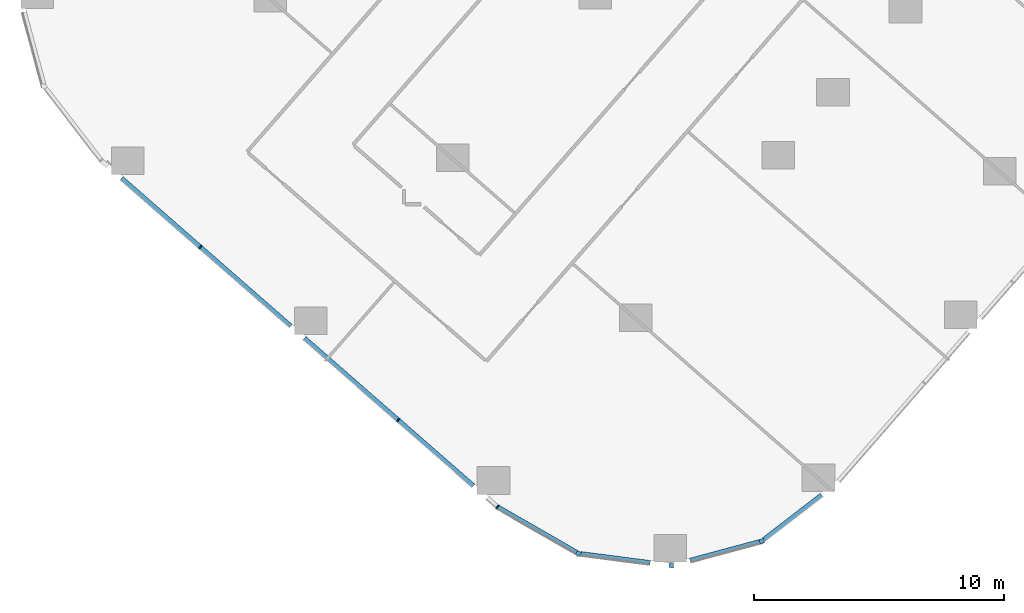
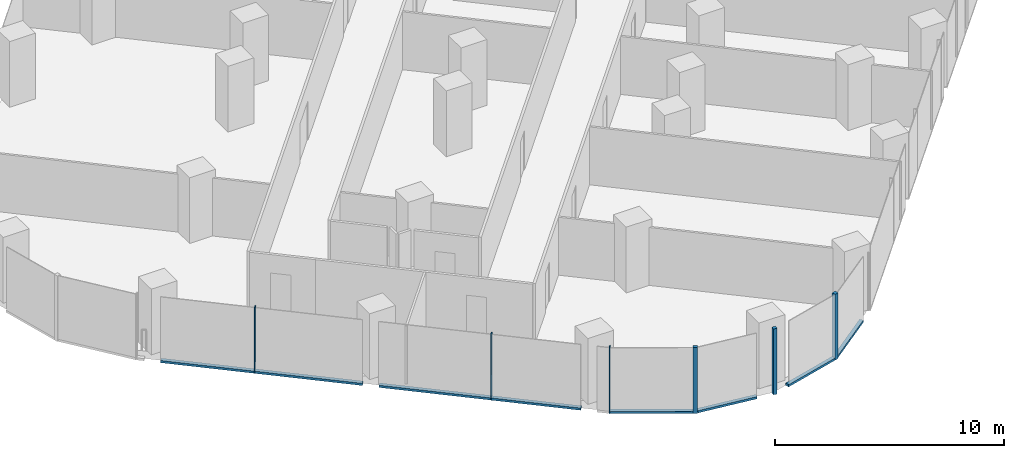
# One storey, part 2 of 38: 12 members, 5 elements without a shape of their own.
"""IFC4 building model written with IfcOpenShell, lengths in metres."""

from ifc_helpers import new_model, si_unit, direction, frame, origin, origin_2d, place, context, subcontext, project, spatial, rectangle, extrude, material, material_profile, profile_set, type_object, element, aggregate, save


model = new_model("IFC4")

# Units and contexts
model_context = context("Model", 3, precision=1e-05, world=origin(), true_north=direction((0.0, 1.0)))
body_context = subcontext(model_context, "Body", "Model", "MODEL_VIEW")
ifc_project = project(units=[si_unit("LENGTHUNIT", "METRE"), si_unit("AREAUNIT", "SQUARE_METRE"), si_unit("VOLUMEUNIT", "CUBIC_METRE"), si_unit("PLANEANGLEUNIT", "RADIAN"), si_unit("MASSUNIT", "GRAM", prefix="KILO")], contexts=[model_context])

# Site, building, storey
site_placement = place(None, origin())
site = spatial("IfcSite", under=ifc_project, at=site_placement, CompositionType="ELEMENT")
building_placement = place(site_placement, origin())
building = spatial("IfcBuilding", under=site, at=building_placement, Name="Orlundy Tower", CompositionType="ELEMENT")
storey_placement = place(building_placement, frame((0.0, 0.0, 62.300048828125)))
storey = spatial("IfcBuildingStorey", under=building, at=storey_placement, Name="L14", CompositionType="ELEMENT", Elevation=62.300048828125)

# Curtain wall, member
ifc_material_1 = material(Name="Aluminium bronze anodised", Category="aluminium")
curtain_wall_type = type_object("IfcCurtainWallType", Name="CW1 wall", PredefinedType="NOTDEFINED", material=ifc_material_1)
curtain_wall_1_placement = place(storey_placement, origin())
curtain_wall_1 = element("IfcCurtainWall", 1, at=curtain_wall_1_placement, inside=storey, type_object=curtain_wall_type, Name="CW1 run 04", PredefinedType="NOTDEFINED")
ifc_material_2 = material(Name="Aluminium bronze anodised", Category="aluminium")
ifc_material_profile_1 = material_profile(ifc_material_2, rectangle(XDim=0.179931640625, YDim=0.179931640625, at=origin_2d()), Name="CW1 corner post 180x180")
ifc_profile_set_1 = profile_set([ifc_material_profile_1], Name="Aluminium bronze anodised")
member_type_1 = type_object("IfcMemberType", Name="CW1 corner post 180x180", PredefinedType="MULLION", material=ifc_profile_set_1)
member_1_placement = place(storey_placement, frame((-20.753173828125, -53.148193359375, -0.400146484375), z_axis=(0.0, 0.0, 1.0), x_axis=(0.26007990033, -0.965587098839, 0.0)))
member_1 = element("IfcMember", 2, at=member_1_placement, type_object=member_type_1, Name="CW1 mullion 15", PredefinedType="MULLION", context=body_context, shape_type="SweptSolid", body=[
    extrude(rectangle(XDim=0.179931640625, YDim=0.179931640625, at=origin_2d()), origin(), (0.0, 0.0, 1.0), 3.5),
])

curtain_wall_2_placement = place(storey_placement, origin())
curtain_wall_2 = element("IfcCurtainWall", 3, at=curtain_wall_2_placement, inside=storey, type_object=curtain_wall_type, Name="CW1 run 05", PredefinedType="NOTDEFINED")
member_2_placement = place(storey_placement, frame((-24.366943359375, -54.12158203125, -0.400146484375), z_axis=(0.0, 0.0, 1.0), x_axis=(-0.128947063839, -0.991651478458, 0.0)))
member_2 = element("IfcMember", 4, at=member_2_placement, type_object=member_type_1, Name="CW1 mullion 16", PredefinedType="MULLION", context=body_context, shape_type="SweptSolid", body=[
    extrude(rectangle(XDim=0.179931640625, YDim=0.179931640625, at=origin_2d()), origin(), (0.0, 0.0, 1.0), 3.5),
])

curtain_wall_3_placement = place(storey_placement, origin())
curtain_wall_3 = element("IfcCurtainWall", 5, at=curtain_wall_3_placement, inside=storey, type_object=curtain_wall_type, Name="CW1 run 06", PredefinedType="NOTDEFINED")
member_3_placement = place(storey_placement, frame((-28.078369140625, -53.638916015625, -0.400146484375), z_axis=(0.0, 0.0, 1.0), x_axis=(-0.498780254844, -0.866728479616, 0.0)))
member_3 = element("IfcMember", 6, at=member_3_placement, type_object=member_type_1, Name="CW1 mullion 17", PredefinedType="MULLION", context=body_context, shape_type="SweptSolid", body=[
    extrude(rectangle(XDim=0.179931640625, YDim=0.179931640625, at=origin_2d()), origin(), (0.0, 0.0, 1.0), 3.5),
])

# Curtain wall, members
curtain_wall_4_placement = place(storey_placement, origin())
curtain_wall_4 = element("IfcCurtainWall", 7, at=curtain_wall_4_placement, inside=storey, type_object=curtain_wall_type, Name="CW1 run 07", PredefinedType="NOTDEFINED")
ifc_material_3 = material(Name="Aluminium bronze anodised", Category="aluminium")
ifc_material_profile_2 = material_profile(ifc_material_3, rectangle(XDim=0.179931640625, YDim=0.050048828125, at=origin_2d()), Name="CW1 mullion 50x180")
ifc_profile_set_2 = profile_set([ifc_material_profile_2], Name="Aluminium bronze anodised")
member_type_2 = type_object("IfcMemberType", Name="CW1 mullion 50x180", PredefinedType="MULLION", material=ifc_profile_set_2)
member_4_placement = place(storey_placement, frame((-31.314453125, -51.776611328125, -0.400146484375), z_axis=(0.0, 0.0, 1.0), x_axis=(-0.581319316021, -0.813675520598, 0.0)))
member_4 = element("IfcMember", 8, at=member_4_placement, type_object=member_type_2, Name="CW1 mullion 18", PredefinedType="MULLION", context=body_context, shape_type="SweptSolid", body=[
    extrude(rectangle(XDim=0.179931640625, YDim=0.050048828125, at=origin_2d()), origin(), (0.0, 0.0, 1.0), 3.5),
])
member_5_placement = place(storey_placement, frame((-35.273193359375, -48.31494140625, -0.400146484375), z_axis=(0.0, 0.0, 1.0), x_axis=(-0.658261834143, -0.752789052597, 0.0)))
member_5 = element("IfcMember", 9, at=member_5_placement, type_object=member_type_2, Name="CW1 mullion 19", PredefinedType="MULLION", context=body_context, shape_type="SweptSolid", body=[
    extrude(rectangle(XDim=0.179931640625, YDim=0.050048828125, at=origin_2d()), origin(), (0.0, 0.0, 1.0), 3.5),
])
member_6_placement = place(storey_placement, frame((-43.17724609375, -41.403564453125, -0.400146484375), z_axis=(0.0, 0.0, 1.0), x_axis=(-0.658261834143, -0.752789052597, 0.0)))
member_6 = element("IfcMember", 10, at=member_6_placement, type_object=member_type_2, Name="CW1 mullion 21", PredefinedType="MULLION", context=body_context, shape_type="SweptSolid", body=[
    extrude(rectangle(XDim=0.179931640625, YDim=0.050048828125, at=origin_2d()), origin(), (0.0, 0.0, 1.0), 3.5),
])

# Curtain wall, member
curtain_wall_5_placement = place(storey_placement, origin())
curtain_wall_5 = element("IfcCurtainWall", 11, at=curtain_wall_5_placement, inside=storey, type_object=curtain_wall_type, Name="CW1 run 03", PredefinedType="NOTDEFINED")
ifc_material_4 = material(Name="Aluminium bronze anodised", Category="aluminium")
ifc_material_profile_3 = material_profile(ifc_material_4, rectangle(XDim=0.179931640625, YDim=0.1201171875, at=origin_2d()), Name="CW1 transom 180x120")
ifc_profile_set_3 = profile_set([ifc_material_profile_3], Name="Aluminium bronze anodised")
member_type_3 = type_object("IfcMemberType", Name="CW1 transom 180x120", PredefinedType="USERDEFINED", material=ifc_profile_set_3)
member_7_placement = place(storey_placement, frame((-18.36279296875, -51.30810546875, -0.340087890625), z_axis=(-0.792400091658, -0.610001716998, 0.0), x_axis=(0.610001716998, -0.792400091658, 0.0)))
member_7 = element("IfcMember", 12, at=member_7_placement, type_object=member_type_3, Name="CW1 transom", ObjectType="TRANSOM", PredefinedType="USERDEFINED", context=body_context, shape_type="SweptSolid", body=[
    extrude(rectangle(XDim=0.179931640625, YDim=0.1201171875, at=origin_2d()), origin(), (0.0, 0.0, 1.0), 2.919189453125),
])
aggregate(curtain_wall_5, [member_7])

# Member
member_8_placement = place(storey_placement, frame((-20.840087890625, -53.171630859375, -0.340087890625), z_axis=(-0.965592771563, -0.260058838546, 0.0), x_axis=(0.260058838546, -0.965592771563, 0.0)))
member_8 = element("IfcMember", 13, at=member_8_placement, type_object=member_type_3, Name="CW1 transom", ObjectType="TRANSOM", PredefinedType="USERDEFINED", context=body_context, shape_type="SweptSolid", body=[
    extrude(rectangle(XDim=0.179931640625, YDim=0.1201171875, at=origin_2d()), origin(), (0.0, 0.0, 1.0), 2.871826171875),
])

aggregate(curtain_wall_1, [member_1, member_8])

member_9_placement = place(storey_placement, frame((-25.212890625, -54.011474609375, -0.340087890625), z_axis=(-0.99165930578, 0.128886854486, 0.0), x_axis=(-0.128886854486, -0.99165930578, 0.0)))
member_9 = element("IfcMember", 14, at=member_9_placement, type_object=member_type_3, Name="CW1 transom", ObjectType="TRANSOM", PredefinedType="USERDEFINED", context=body_context, shape_type="SweptSolid", body=[
    extrude(rectangle(XDim=0.179931640625, YDim=0.1201171875, at=origin_2d()), origin(), (0.0, 0.0, 1.0), 2.7919921875),
])

aggregate(curtain_wall_2, [member_2, member_9])

member_10_placement = place(storey_placement, frame((-28.15625, -53.593994140625, -0.340087890625), z_axis=(-0.866732056117, 0.498774039921, 0.0), x_axis=(-0.498774039921, -0.866732056117, 0.0)))
member_10 = element("IfcMember", 15, at=member_10_placement, type_object=member_type_3, Name="CW1 transom", ObjectType="TRANSOM", PredefinedType="USERDEFINED", context=body_context, shape_type="SweptSolid", body=[
    extrude(rectangle(XDim=0.179931640625, YDim=0.1201171875, at=origin_2d()), origin(), (0.0, 0.0, 1.0), 3.61865234375),
])

aggregate(curtain_wall_3, [member_3, member_10])

member_11_placement = place(storey_placement, frame((-32.26904296875, -50.94189453125, -0.340087890625), z_axis=(-0.752795937468, 0.658253960513, 0.0), x_axis=(-0.658253960513, -0.752795937468, 0.0)))
member_11 = element("IfcMember", 16, at=member_11_placement, type_object=member_type_3, Name="CW1 transom", ObjectType="TRANSOM", PredefinedType="USERDEFINED", context=body_context, shape_type="SweptSolid", body=[
    extrude(rectangle(XDim=0.179931640625, YDim=0.1201171875, at=origin_2d()), origin(), (0.0, 0.0, 1.0), 8.9658203125),
])

member_12_placement = place(storey_placement, frame((-39.571044921875, -44.556884765625, -0.340087890625), z_axis=(-0.752784138466, 0.658267453908, 0.0), x_axis=(-0.658267453908, -0.752784138466, 0.0)))
member_12 = element("IfcMember", 17, at=member_12_placement, type_object=member_type_3, Name="CW1 transom", ObjectType="TRANSOM", PredefinedType="USERDEFINED", context=body_context, shape_type="SweptSolid", body=[
    extrude(rectangle(XDim=0.179931640625, YDim=0.1201171875, at=origin_2d()), origin(), (0.0, 0.0, 1.0), 8.9658203125),
])

aggregate(curtain_wall_4, [member_4, member_5, member_6, member_11, member_12])

save(model, "model.ifc")
